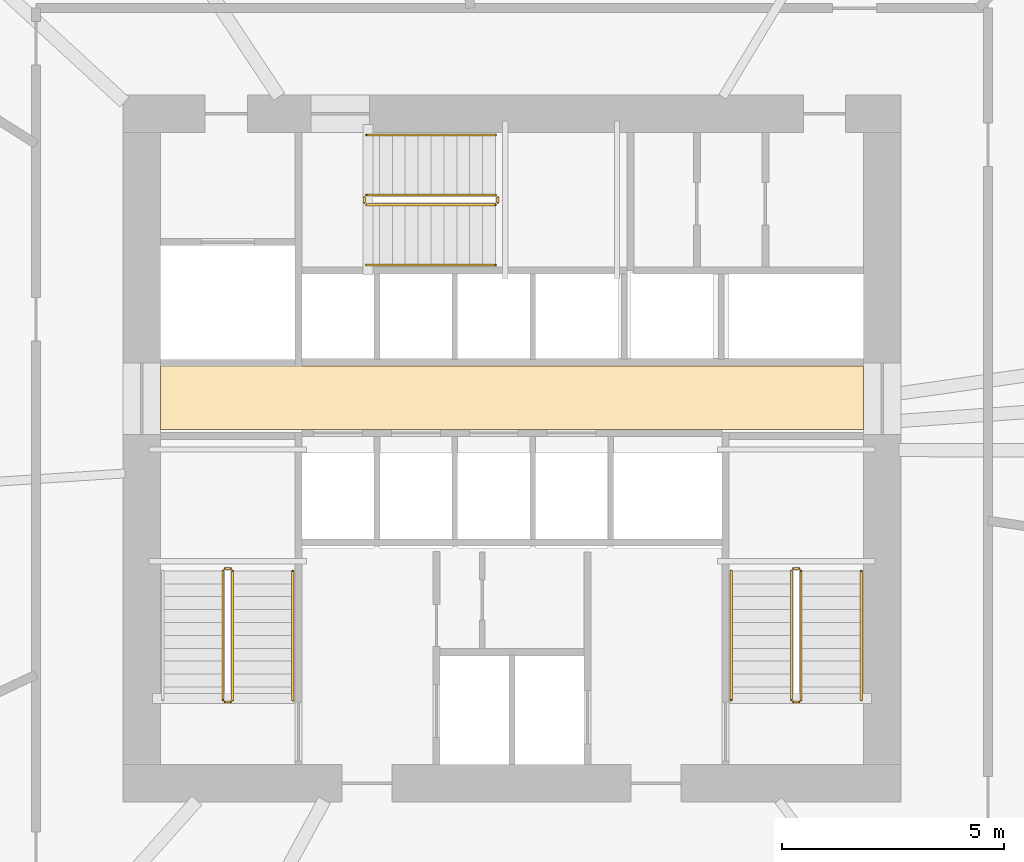
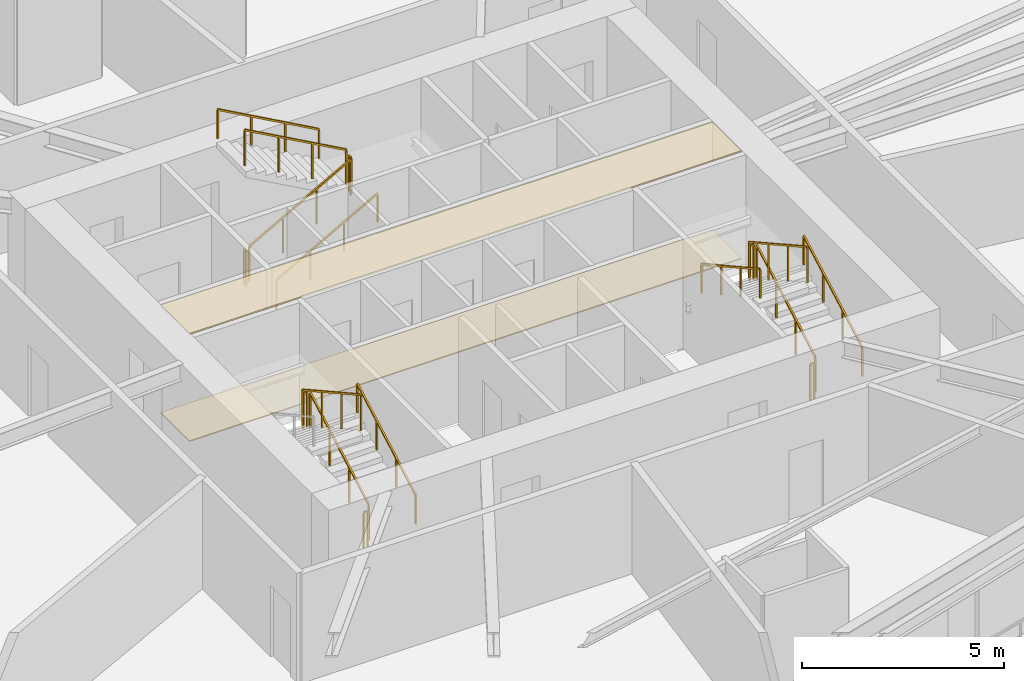
# One storey, part 20 of 21: 17 railings, 2 coverings.
"""IFC4 building model written with IfcOpenShell, lengths in metres."""

from ifc_helpers import new_model, si_unit, direction, frame, origin, origin_2d, place, context, subcontext, project, spatial, polyline, rectangle, outline, extrude, material, layer, layer_set, type_object, element, save


model = new_model("IFC4")

# Units and contexts
model_context = context("Model", 3, precision=1e-05, world=origin(), true_north=direction((0.0, 1.0)))
body_context = subcontext(model_context, "Body", "Model", "MODEL_VIEW")
ifc_project = project(units=[si_unit("LENGTHUNIT", "METRE"), si_unit("AREAUNIT", "SQUARE_METRE"), si_unit("VOLUMEUNIT", "CUBIC_METRE"), si_unit("PLANEANGLEUNIT", "RADIAN"), si_unit("MASSUNIT", "GRAM", prefix="KILO")], contexts=[model_context])

# Site, building, storey
site_placement = place(None, origin())
site = spatial("IfcSite", under=ifc_project, at=site_placement, CompositionType="ELEMENT")
building_placement = place(site_placement, origin())
building = spatial("IfcBuilding", under=site, at=building_placement, Name="Olszyna Solenne Hotel", CompositionType="ELEMENT")
storey_placement = place(building_placement, frame((0.0, 0.0, 47.050048828125)))
storey = spatial("IfcBuildingStorey", under=building, at=storey_placement, Name="L11", CompositionType="ELEMENT", Elevation=47.050048828125)

# Coverings
ifc_material_1 = material(Name="Mineral wool acoustic ceiling")
ifc_layer_1 = layer(ifc_material_1, 0.0400390625, Name="Mineral wool acoustic ceiling")
ifc_layer_set_1 = layer_set([ifc_layer_1], Name="Mineral wool acoustic ceiling")
covering_type_1 = type_object("IfcCoveringType", Name="CL-AC1", PredefinedType="CEILING", material=ifc_layer_set_1)
covering_1_placement = place(storey_placement, frame((0.0, 0.0, 3.239990234375)))
element("IfcCovering", 1, at=covering_1_placement, inside=storey, type_object=covering_type_1, Name="Lift lobby acoustic tile ceiling CL-L11-01", PredefinedType="CEILING", context=body_context, shape_type="SweptSolid", body=[
    extrude(outline(polyline([(30.10009765625, 27.030029296875), (45.89990234375, 27.030029296875), (45.89990234375, 28.4599609375), (30.10009765625, 28.4599609375), (30.10009765625, 27.030029296875)])), origin(), (0.0, 0.0, 1.0), 0.0400390625),
])
ifc_material_2 = material(Name="Ceramic floor tile")
ifc_layer_2 = layer(ifc_material_2, 0.030029296875, Name="Ceramic floor tile")
ifc_layer_set_2 = layer_set([ifc_layer_2], Name="Ceramic floor tile")
covering_type_2 = type_object("IfcCoveringType", Name="FL-TL1", PredefinedType="FLOORING", material=ifc_layer_set_2)
covering_2_placement = place(storey_placement, origin())
element("IfcCovering", 2, at=covering_2_placement, inside=storey, type_object=covering_type_2, Name="Lift lobby stoneware floor finish FLR-L11-01", PredefinedType="FLOORING", context=body_context, shape_type="SweptSolid", body=[
    extrude(outline(polyline([(30.10009765625, 27.030029296875), (45.89990234375, 27.030029296875), (45.89990234375, 28.4599609375), (30.10009765625, 28.4599609375), (30.10009765625, 27.030029296875)])), origin(), (0.0, 0.0, 1.0), 0.030029296875),
])

# Railings
ifc_material_3 = material(Name="Anodised bronze aluminium", Category="aluminium")
railing_type_1 = type_object("IfcRailingType", Name="GR-110", PredefinedType="BALUSTRADE", material=ifc_material_3)
railing_1_placement = place(storey_placement, frame((31.719970703125, 20.949951171875, 0.161376953125)))
element("IfcRailing", 3, at=railing_1_placement, inside=storey, type_object=railing_type_1, Name="L11 ST1 stair guard 1", PredefinedType="BALUSTRADE", context=body_context, shape_type="SweptSolid", body=[
    extrude(rectangle(XDim=0.048095703125, YDim=0.048095703125, at=origin_2d()), frame((0.0, 0.0, 1.076171875), z_axis=(0.0, 0.873858693841, 0.486179990537), x_axis=(-1.0, 0.0, 0.0)), (0.0, 0.0, 1.0), 3.31884765625),
    extrude(rectangle(XDim=0.0419921875, YDim=0.0419921875, at=origin_2d()), origin(), (0.0, 0.0, 1.0), 1.052001953125),
    extrude(rectangle(XDim=0.0419921875, YDim=0.0419921875, at=origin_2d()), frame((0.0, 0.966796875, 0.537841796875)), (0.0, 0.0, 1.0), 1.052001953125),
    extrude(rectangle(XDim=0.0419921875, YDim=0.0419921875, at=origin_2d()), frame((0.0, 1.933349609375, 1.07568359375)), (0.0, 0.0, 1.0), 1.052001953125),
    extrude(rectangle(XDim=0.0419921875, YDim=0.0419921875, at=origin_2d()), frame((0.0, 2.900146484375, 1.613525390625)), (0.0, 0.0, 1.0), 1.052001953125),
])
railing_2_placement = place(storey_placement, frame((31.669921875, 23.89990234375, 1.77490234375)))
element("IfcRailing", 4, at=railing_2_placement, inside=storey, type_object=railing_type_1, Name="L11 ST1 stair guard 2", PredefinedType="BALUSTRADE", context=body_context, shape_type="SweptSolid", body=[
    extrude(rectangle(XDim=0.048095703125, YDim=0.048095703125, at=origin_2d()), frame((0.0, 0.0, 1.076171875), z_axis=(-1.0, 0.0, 0.0), x_axis=(0.0, -1.0, 0.0)), (0.0, 0.0, 1.0), 0.119873046875),
    extrude(rectangle(XDim=0.0419921875, YDim=0.0419921875, at=origin_2d()), origin(), (0.0, 0.0, 1.0), 1.052001953125),
    extrude(rectangle(XDim=0.0419921875, YDim=0.0419921875, at=origin_2d()), frame((-0.119873046875, 0.0, 0.0)), (0.0, 0.0, 1.0), 1.052001953125),
])
railing_3_placement = place(storey_placement, frame((31.5, 23.85009765625, 1.936279296875)))
element("IfcRailing", 5, at=railing_3_placement, inside=storey, type_object=railing_type_1, Name="L11 ST1 stair guard 3", PredefinedType="BALUSTRADE", context=body_context, shape_type="SweptSolid", body=[
    extrude(rectangle(XDim=0.048095703125, YDim=0.048095703125, at=origin_2d()), frame((0.0, 0.0, 1.076171875), z_axis=(0.0, -0.873827439584, 0.48623616261), x_axis=(1.0, 0.0, 0.0)), (0.0, 0.0, 1.0), 3.31884765625),
    extrude(rectangle(XDim=0.0419921875, YDim=0.0419921875, at=origin_2d()), origin(), (0.0, 0.0, 1.0), 1.052001953125),
    extrude(rectangle(XDim=0.0419921875, YDim=0.0419921875, at=origin_2d()), frame((0.0, -0.966796875, 0.537841796875)), (0.0, 0.0, 1.0), 1.052001953125),
    extrude(rectangle(XDim=0.0419921875, YDim=0.0419921875, at=origin_2d()), frame((0.0, -1.933349609375, 1.075927734375)), (0.0, 0.0, 1.0), 1.052001953125),
    extrude(rectangle(XDim=0.0419921875, YDim=0.0419921875, at=origin_2d()), frame((0.0, -2.900146484375, 1.61376953125)), (0.0, 0.0, 1.0), 1.052001953125),
])
railing_4_placement = place(storey_placement, frame((31.669921875, 20.89990234375, 0.0)))
element("IfcRailing", 6, at=railing_4_placement, inside=storey, type_object=railing_type_1, Name="L11 ST1 stair guard 4", PredefinedType="BALUSTRADE", context=body_context, shape_type="SweptSolid", body=[
    extrude(rectangle(XDim=0.048095703125, YDim=0.048095703125, at=origin_2d()), frame((0.0, 0.0, 1.076171875), z_axis=(-1.0, 0.0, 0.0), x_axis=(0.0, -1.0, 0.0)), (0.0, 0.0, 1.0), 0.119873046875),
    extrude(rectangle(XDim=0.0419921875, YDim=0.0419921875, at=origin_2d()), origin(), (0.0, 0.0, 1.0), 1.052001953125),
    extrude(rectangle(XDim=0.0419921875, YDim=0.0419921875, at=origin_2d()), frame((-0.119873046875, 0.0, 0.0)), (0.0, 0.0, 1.0), 1.052001953125),
])
railing_5_placement = place(storey_placement, frame((44.5, 20.949951171875, 0.161376953125)))
element("IfcRailing", 7, at=railing_5_placement, inside=storey, type_object=railing_type_1, Name="L11 ST2 stair guard 1", PredefinedType="BALUSTRADE", context=body_context, shape_type="SweptSolid", body=[
    extrude(rectangle(XDim=0.048095703125, YDim=0.048095703125, at=origin_2d()), frame((0.0, 0.0, 1.076171875), z_axis=(0.0, 0.873858693841, 0.486179990537), x_axis=(-1.0, 0.0, 0.0)), (0.0, 0.0, 1.0), 3.31884765625),
    extrude(rectangle(XDim=0.0419921875, YDim=0.0419921875, at=origin_2d()), origin(), (0.0, 0.0, 1.0), 1.052001953125),
    extrude(rectangle(XDim=0.0419921875, YDim=0.0419921875, at=origin_2d()), frame((0.0, 0.966796875, 0.537841796875)), (0.0, 0.0, 1.0), 1.052001953125),
    extrude(rectangle(XDim=0.0419921875, YDim=0.0419921875, at=origin_2d()), frame((0.0, 1.933349609375, 1.07568359375)), (0.0, 0.0, 1.0), 1.052001953125),
    extrude(rectangle(XDim=0.0419921875, YDim=0.0419921875, at=origin_2d()), frame((0.0, 2.900146484375, 1.613525390625)), (0.0, 0.0, 1.0), 1.052001953125),
])
railing_6_placement = place(storey_placement, frame((44.449951171875, 23.89990234375, 1.77490234375)))
element("IfcRailing", 8, at=railing_6_placement, inside=storey, type_object=railing_type_1, Name="L11 ST2 stair guard 2", PredefinedType="BALUSTRADE", context=body_context, shape_type="SweptSolid", body=[
    extrude(rectangle(XDim=0.048095703125, YDim=0.048095703125, at=origin_2d()), frame((0.0, 0.0, 1.076171875), z_axis=(-1.0, 0.0, 0.0), x_axis=(0.0, -1.0, 0.0)), (0.0, 0.0, 1.0), 0.119873046875),
    extrude(rectangle(XDim=0.0419921875, YDim=0.0419921875, at=origin_2d()), origin(), (0.0, 0.0, 1.0), 1.052001953125),
    extrude(rectangle(XDim=0.0419921875, YDim=0.0419921875, at=origin_2d()), frame((-0.119873046875, 0.0, 0.0)), (0.0, 0.0, 1.0), 1.052001953125),
])
railing_7_placement = place(storey_placement, frame((44.280029296875, 23.85009765625, 1.936279296875)))
element("IfcRailing", 9, at=railing_7_placement, inside=storey, type_object=railing_type_1, Name="L11 ST2 stair guard 3", PredefinedType="BALUSTRADE", context=body_context, shape_type="SweptSolid", body=[
    extrude(rectangle(XDim=0.048095703125, YDim=0.048095703125, at=origin_2d()), frame((0.0, 0.0, 1.076171875), z_axis=(0.0, -0.873827439584, 0.48623616261), x_axis=(1.0, 0.0, 0.0)), (0.0, 0.0, 1.0), 3.31884765625),
    extrude(rectangle(XDim=0.0419921875, YDim=0.0419921875, at=origin_2d()), origin(), (0.0, 0.0, 1.0), 1.052001953125),
    extrude(rectangle(XDim=0.0419921875, YDim=0.0419921875, at=origin_2d()), frame((0.0, -0.966796875, 0.537841796875)), (0.0, 0.0, 1.0), 1.052001953125),
    extrude(rectangle(XDim=0.0419921875, YDim=0.0419921875, at=origin_2d()), frame((0.0, -1.933349609375, 1.075927734375)), (0.0, 0.0, 1.0), 1.052001953125),
    extrude(rectangle(XDim=0.0419921875, YDim=0.0419921875, at=origin_2d()), frame((0.0, -2.900146484375, 1.61376953125)), (0.0, 0.0, 1.0), 1.052001953125),
])
railing_8_placement = place(storey_placement, frame((44.449951171875, 20.89990234375, 0.0)))
element("IfcRailing", 10, at=railing_8_placement, inside=storey, type_object=railing_type_1, Name="L11 ST2 stair guard 4", PredefinedType="BALUSTRADE", context=body_context, shape_type="SweptSolid", body=[
    extrude(rectangle(XDim=0.048095703125, YDim=0.048095703125, at=origin_2d()), frame((0.0, 0.0, 1.076171875), z_axis=(-1.0, 0.0, 0.0), x_axis=(0.0, -1.0, 0.0)), (0.0, 0.0, 1.0), 0.119873046875),
    extrude(rectangle(XDim=0.0419921875, YDim=0.0419921875, at=origin_2d()), origin(), (0.0, 0.0, 1.0), 1.052001953125),
    extrude(rectangle(XDim=0.0419921875, YDim=0.0419921875, at=origin_2d()), frame((-0.119873046875, 0.0, 0.0)), (0.0, 0.0, 1.0), 1.052001953125),
])
railing_9_placement = place(storey_placement, frame((34.72998046875, 32.080078125, 0.161376953125)))
element("IfcRailing", 11, at=railing_9_placement, inside=storey, type_object=railing_type_1, Name="L11 ST3 stair guard 1", PredefinedType="BALUSTRADE", context=body_context, shape_type="SweptSolid", body=[
    extrude(rectangle(XDim=0.048095703125, YDim=0.048095703125, at=origin_2d()), frame((0.0, 0.0, 1.076171875), z_axis=(0.873841303929, 0.0, 0.486211245805), x_axis=(0.0, 1.0, 0.0)), (0.0, 0.0, 1.0), 3.318603515625),
    extrude(rectangle(XDim=0.0419921875, YDim=0.0419921875, at=origin_2d()), origin(), (0.0, 0.0, 1.0), 1.052001953125),
    extrude(rectangle(XDim=0.0419921875, YDim=0.0419921875, at=origin_2d()), frame((0.966552734375, 0.0, 0.537841796875)), (0.0, 0.0, 1.0), 1.052001953125),
    extrude(rectangle(XDim=0.0419921875, YDim=0.0419921875, at=origin_2d()), frame((1.933349609375, 0.0, 1.07568359375)), (0.0, 0.0, 1.0), 1.052001953125),
    extrude(rectangle(XDim=0.0419921875, YDim=0.0419921875, at=origin_2d()), frame((2.89990234375, 0.0, 1.613525390625)), (0.0, 0.0, 1.0), 1.052001953125),
])
railing_10_placement = place(storey_placement, frame((37.679931640625, 32.1298828125, 1.77490234375)))
element("IfcRailing", 12, at=railing_10_placement, inside=storey, type_object=railing_type_1, Name="L11 ST3 stair guard 2", PredefinedType="BALUSTRADE", context=body_context, shape_type="SweptSolid", body=[
    extrude(rectangle(XDim=0.048095703125, YDim=0.048095703125, at=origin_2d()), frame((0.0, 0.0, 1.076171875), z_axis=(0.0, 1.0, 0.0), x_axis=(-1.0, 0.0, 0.0)), (0.0, 0.0, 1.0), 0.1201171875),
    extrude(rectangle(XDim=0.0419921875, YDim=0.0419921875, at=origin_2d()), origin(), (0.0, 0.0, 1.0), 1.052001953125),
    extrude(rectangle(XDim=0.0419921875, YDim=0.0419921875, at=origin_2d()), frame((0.0, 0.1201171875, 0.0)), (0.0, 0.0, 1.0), 1.052001953125),
])
railing_11_placement = place(storey_placement, frame((37.6298828125, 32.300048828125, 1.936279296875)))
element("IfcRailing", 13, at=railing_11_placement, inside=storey, type_object=railing_type_1, Name="L11 ST3 stair guard 3", PredefinedType="BALUSTRADE", context=body_context, shape_type="SweptSolid", body=[
    extrude(rectangle(XDim=0.048095703125, YDim=0.048095703125, at=origin_2d()), frame((0.0, 0.0, 1.076171875), z_axis=(-0.873810046276, 0.0, 0.486267419253), x_axis=(0.0, -1.0, 0.0)), (0.0, 0.0, 1.0), 3.318603515625),
    extrude(rectangle(XDim=0.0419921875, YDim=0.0419921875, at=origin_2d()), origin(), (0.0, 0.0, 1.0), 1.052001953125),
    extrude(rectangle(XDim=0.0419921875, YDim=0.0419921875, at=origin_2d()), frame((-0.966552734375, 0.0, 0.537841796875)), (0.0, 0.0, 1.0), 1.052001953125),
    extrude(rectangle(XDim=0.0419921875, YDim=0.0419921875, at=origin_2d()), frame((-1.933349609375, 0.0, 1.075927734375)), (0.0, 0.0, 1.0), 1.052001953125),
    extrude(rectangle(XDim=0.0419921875, YDim=0.0419921875, at=origin_2d()), frame((-2.89990234375, 0.0, 1.61376953125)), (0.0, 0.0, 1.0), 1.052001953125),
])
railing_12_placement = place(storey_placement, frame((34.679931640625, 32.1298828125, 0.0)))
element("IfcRailing", 14, at=railing_12_placement, inside=storey, type_object=railing_type_1, Name="L11 ST3 stair guard 4", PredefinedType="BALUSTRADE", context=body_context, shape_type="SweptSolid", body=[
    extrude(rectangle(XDim=0.048095703125, YDim=0.048095703125, at=origin_2d()), frame((0.0, 0.0, 1.076171875), z_axis=(0.0, 1.0, 0.0), x_axis=(-1.0, 0.0, 0.0)), (0.0, 0.0, 1.0), 0.1201171875),
    extrude(rectangle(XDim=0.0419921875, YDim=0.0419921875, at=origin_2d()), origin(), (0.0, 0.0, 1.0), 1.052001953125),
    extrude(rectangle(XDim=0.0419921875, YDim=0.0419921875, at=origin_2d()), frame((0.0, 0.1201171875, 0.0)), (0.0, 0.0, 1.0), 1.052001953125),
])
ifc_material_4 = material(Name="Steel S355J2", Category="steel")
railing_type_2 = type_object("IfcRailingType", Name="HR-090", PredefinedType="HANDRAIL", material=ifc_material_4)
for number, where, name in (
    (15, (33.070068359375, 20.949951171875, 0.161376953125), "L11 ST1 stair handrail 1"),
    (16, (45.85009765625, 20.949951171875, 0.161376953125), "L11 ST2 stair handrail 1"),
):
    element("IfcRailing", number, at=place(storey_placement, frame(where)), inside=storey, type_object=railing_type_2, Name=name, PredefinedType="HANDRAIL", context=body_context, shape_type="SweptSolid", body=[
        extrude(rectangle(XDim=0.048095703125, YDim=0.048095703125, at=origin_2d()), frame((0.0, 0.0, 0.8759765625), z_axis=(0.0, 0.873858693841, 0.486179990537), x_axis=(-1.0, 0.0, 0.0)), (0.0, 0.0, 1.0), 3.31884765625),
        extrude(rectangle(XDim=0.0419921875, YDim=0.0419921875, at=origin_2d()), origin(), (0.0, 0.0, 1.0), 0.851806640625),
        extrude(rectangle(XDim=0.0419921875, YDim=0.0419921875, at=origin_2d()), frame((0.0, 0.966796875, 0.537841796875)), (0.0, 0.0, 1.0), 0.851806640625),
        extrude(rectangle(XDim=0.0419921875, YDim=0.0419921875, at=origin_2d()), frame((0.0, 1.933349609375, 1.07568359375)), (0.0, 0.0, 1.0), 0.851806640625),
        extrude(rectangle(XDim=0.0419921875, YDim=0.0419921875, at=origin_2d()), frame((0.0, 2.900146484375, 1.613525390625)), (0.0, 0.0, 1.0), 0.851806640625),
    ])
railing_13_placement = place(storey_placement, frame((42.929931640625, 23.85009765625, 1.936279296875)))
element("IfcRailing", 17, at=railing_13_placement, inside=storey, type_object=railing_type_2, Name="L11 ST2 stair handrail 2", PredefinedType="HANDRAIL", context=body_context, shape_type="SweptSolid", body=[
    extrude(rectangle(XDim=0.048095703125, YDim=0.048095703125, at=origin_2d()), frame((0.0, 0.0, 0.8759765625), z_axis=(0.0, -0.873827439584, 0.48623616261), x_axis=(1.0, 0.0, 0.0)), (0.0, 0.0, 1.0), 3.31884765625),
    extrude(rectangle(XDim=0.0419921875, YDim=0.0419921875, at=origin_2d()), origin(), (0.0, 0.0, 1.0), 0.851806640625),
    extrude(rectangle(XDim=0.0419921875, YDim=0.0419921875, at=origin_2d()), frame((0.0, -0.966796875, 0.537841796875)), (0.0, 0.0, 1.0), 0.851806640625),
    extrude(rectangle(XDim=0.0419921875, YDim=0.0419921875, at=origin_2d()), frame((0.0, -1.933349609375, 1.075927734375)), (0.0, 0.0, 1.0), 0.851806640625),
    extrude(rectangle(XDim=0.0419921875, YDim=0.0419921875, at=origin_2d()), frame((0.0, -2.900146484375, 1.61376953125)), (0.0, 0.0, 1.0), 0.851806640625),
])
railing_14_placement = place(storey_placement, frame((34.72998046875, 30.72998046875, 0.161376953125)))
element("IfcRailing", 18, at=railing_14_placement, inside=storey, type_object=railing_type_2, Name="L11 ST3 stair handrail 1", PredefinedType="HANDRAIL", context=body_context, shape_type="SweptSolid", body=[
    extrude(rectangle(XDim=0.048095703125, YDim=0.048095703125, at=origin_2d()), frame((0.0, 0.0, 0.8759765625), z_axis=(0.873841303929, 0.0, 0.486211245805), x_axis=(0.0, 1.0, 0.0)), (0.0, 0.0, 1.0), 3.318603515625),
    extrude(rectangle(XDim=0.0419921875, YDim=0.0419921875, at=origin_2d()), origin(), (0.0, 0.0, 1.0), 0.851806640625),
    extrude(rectangle(XDim=0.0419921875, YDim=0.0419921875, at=origin_2d()), frame((0.966552734375, 0.0, 0.537841796875)), (0.0, 0.0, 1.0), 0.851806640625),
    extrude(rectangle(XDim=0.0419921875, YDim=0.0419921875, at=origin_2d()), frame((1.933349609375, 0.0, 1.07568359375)), (0.0, 0.0, 1.0), 0.851806640625),
    extrude(rectangle(XDim=0.0419921875, YDim=0.0419921875, at=origin_2d()), frame((2.89990234375, 0.0, 1.613525390625)), (0.0, 0.0, 1.0), 0.851806640625),
])
railing_15_placement = place(storey_placement, frame((37.6298828125, 33.64990234375, 1.936279296875)))
element("IfcRailing", 19, at=railing_15_placement, inside=storey, type_object=railing_type_2, Name="L11 ST3 stair handrail 2", PredefinedType="HANDRAIL", context=body_context, shape_type="SweptSolid", body=[
    extrude(rectangle(XDim=0.048095703125, YDim=0.048095703125, at=origin_2d()), frame((0.0, 0.0, 0.8759765625), z_axis=(-0.873810046276, 0.0, 0.486267419253), x_axis=(0.0, -1.0, 0.0)), (0.0, 0.0, 1.0), 3.318603515625),
    extrude(rectangle(XDim=0.0419921875, YDim=0.0419921875, at=origin_2d()), origin(), (0.0, 0.0, 1.0), 0.851806640625),
    extrude(rectangle(XDim=0.0419921875, YDim=0.0419921875, at=origin_2d()), frame((-0.966552734375, 0.0, 0.537841796875)), (0.0, 0.0, 1.0), 0.851806640625),
    extrude(rectangle(XDim=0.0419921875, YDim=0.0419921875, at=origin_2d()), frame((-1.933349609375, 0.0, 1.075927734375)), (0.0, 0.0, 1.0), 0.851806640625),
    extrude(rectangle(XDim=0.0419921875, YDim=0.0419921875, at=origin_2d()), frame((-2.89990234375, 0.0, 1.61376953125)), (0.0, 0.0, 1.0), 0.851806640625),
])

save(model, "model.ifc")
